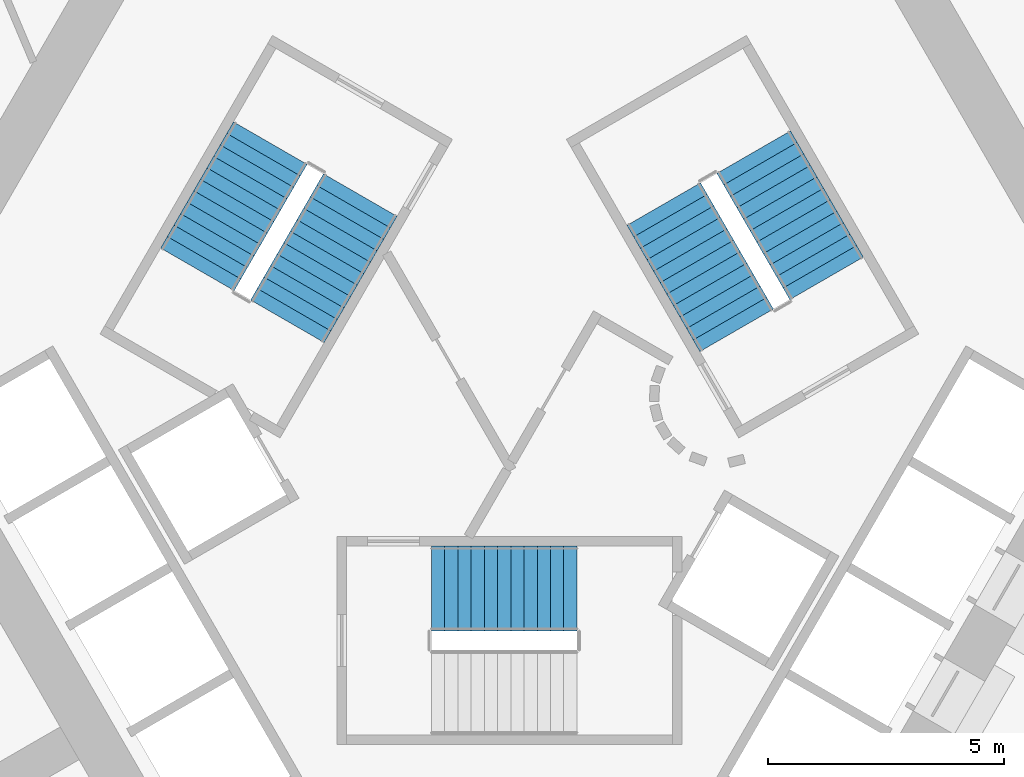
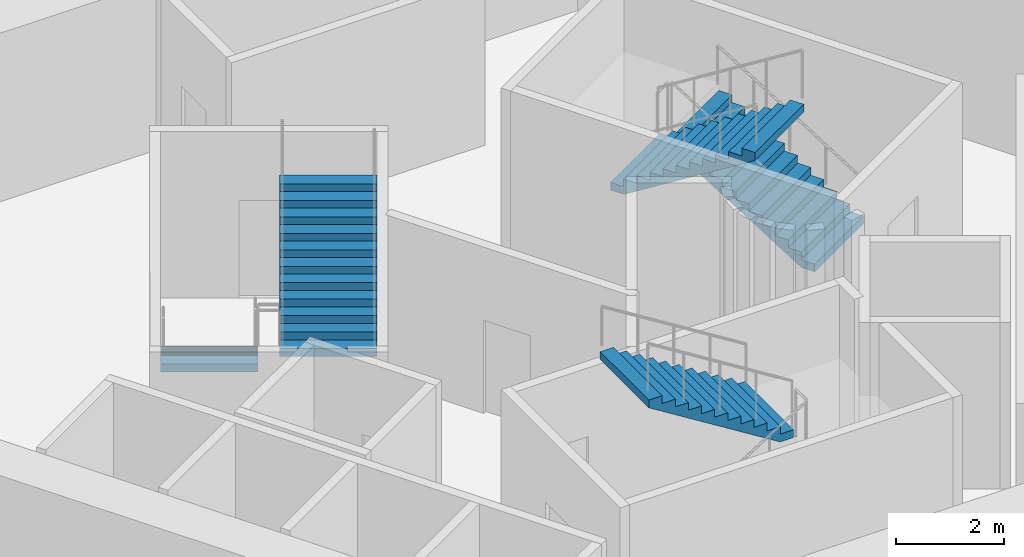
# One storey, part 11 of 14: 5 stair flights, 3 elements without a shape of their own.
"""IFC4 building model written with IfcOpenShell, lengths in metres."""

from ifc_helpers import new_model, si_unit, direction, frame, origin, place, context, subcontext, project, spatial, polyline, outline, extrude, material, type_object, element, aggregate, save


model = new_model("IFC4")

# Units and contexts
model_context = context("Model", 3, precision=1e-05, world=origin(), true_north=direction((0.0, 1.0)))
body_context = subcontext(model_context, "Body", "Model", "MODEL_VIEW")
ifc_project = project(units=[si_unit("LENGTHUNIT", "METRE"), si_unit("AREAUNIT", "SQUARE_METRE"), si_unit("VOLUMEUNIT", "CUBIC_METRE"), si_unit("PLANEANGLEUNIT", "RADIAN"), si_unit("MASSUNIT", "GRAM", prefix="KILO")], contexts=[model_context])

# Site, building, storey
site_placement = place(None, origin())
site = spatial("IfcSite", under=ifc_project, at=site_placement, CompositionType="ELEMENT")
building_placement = place(site_placement, origin())
building = spatial("IfcBuilding", under=site, at=building_placement, Name="Entoto Arch Interchange Tower", CompositionType="ELEMENT")
storey_placement = place(building_placement, frame((0.0, 0.0, 176.0)))
storey = spatial("IfcBuildingStorey", under=building, at=storey_placement, Name="L39", CompositionType="ELEMENT", Elevation=176.0)

# Stair, stair flight
ifc_material = material(Name="Concrete C40/50", Category="concrete")
stair_type = type_object("IfcStairType", Name="EXIT STAIR RC 1800", PredefinedType="HALF_TURN_STAIR", material=ifc_material)
stair_1_placement = place(storey_placement, origin())
stair_1 = element("IfcStair", 1, at=stair_1_placement, inside=storey, type_object=stair_type, Name="L39 Exit stair S", PredefinedType="HALF_TURN_STAIR")
stair_flight_type = type_object("IfcStairFlightType", Name="EXIT STAIR FLIGHT RC 1800", PredefinedType="STRAIGHT", material=ifc_material)
stair_flight_1_placement = place(storey_placement, frame((1.429931640625, -2.10009765625, 2.10009765625), z_axis=(0.0, 0.0, 1.0), x_axis=(-1.0, 0.0, 0.0)))
stair_flight_1 = element("IfcStairFlight", 2, at=stair_flight_1_placement, type_object=stair_flight_type, Name="ST-S flight 2", NumberOfRisers=12, NumberOfTreads=11, PredefinedType="STRAIGHT", RiserHeight=0.175, TreadLength=0.28, context=body_context, shape_type="SweptSolid", body=[
    extrude(outline(polyline([(-0.0029296875, 0.0), (-0.0029296875, 0.175048828125), (0.280029296875, 0.175048828125), (0.280029296875, 0.35009765625), (0.56005859375, 0.35009765625), (0.56005859375, 0.52490234375), (0.840087890625, 0.52490234375), (0.840087890625, 0.699951171875), (1.1201171875, 0.699951171875), (1.1201171875, 0.875), (1.39990234375, 0.875), (1.39990234375, 1.050048828125), (1.679931640625, 1.050048828125), (1.679931640625, 1.22509765625), (1.9599609375, 1.22509765625), (1.9599609375, 1.39990234375), (2.239990234375, 1.39990234375), (2.239990234375, 1.574951171875), (2.52001953125, 1.574951171875), (2.52001953125, 1.75), (2.800048828125, 1.75), (2.800048828125, 1.925048828125), (3.080078125, 1.925048828125), (3.0830078125, 1.925048828125), (3.0830078125, 1.75), (0.28271484375, 0.0), (-0.0029296875, 0.0)])), frame((0.0, 0.89990234375, 0.0), z_axis=(0.0, -1.0, 0.0), x_axis=(1.0, 0.0, 0.0)), (0.0, 0.0, 1.0), 1.800048828125),
])
aggregate(stair_1, [stair_flight_1])

# Stair, stair flights
stair_2_placement = place(storey_placement, origin())
stair_2 = element("IfcStair", 3, at=stair_2_placement, inside=storey, type_object=stair_type, Name="L39 Exit stair NE", PredefinedType="HALF_TURN_STAIR")
stair_flight_2_placement = place(storey_placement, frame((6.7138671875, 4.470947265625, 0.0), z_axis=(0.0, 0.0, 1.0), x_axis=(-0.5, 0.866025403784, 0.0)))
stair_flight_2 = element("IfcStairFlight", 4, at=stair_flight_2_placement, type_object=stair_flight_type, Name="ST-NE flight 1", NumberOfRisers=12, NumberOfTreads=11, PredefinedType="STRAIGHT", RiserHeight=0.175, TreadLength=0.28, context=body_context, shape_type="SweptSolid", body=[
    extrude(outline(polyline([(-0.0029296875, 0.0), (-0.0029296875, 0.175048828125), (0.280029296875, 0.175048828125), (0.280029296875, 0.35009765625), (0.56005859375, 0.35009765625), (0.56005859375, 0.52490234375), (0.840087890625, 0.52490234375), (0.840087890625, 0.699951171875), (1.1201171875, 0.699951171875), (1.1201171875, 0.875), (1.39990234375, 0.875), (1.39990234375, 1.050048828125), (1.679931640625, 1.050048828125), (1.679931640625, 1.22509765625), (1.9599609375, 1.22509765625), (1.9599609375, 1.39990234375), (2.239990234375, 1.39990234375), (2.239990234375, 1.574951171875), (2.52001953125, 1.574951171875), (2.52001953125, 1.75), (2.800048828125, 1.75), (2.800048828125, 1.925048828125), (3.080078125, 1.925048828125), (3.0830078125, 1.925048828125), (3.0830078125, 1.75), (0.28271484375, 0.0), (-0.0029296875, 0.0)])), frame((0.0, 0.89990234375, 0.0), z_axis=(0.0, -1.0, 0.0), x_axis=(1.0, 0.0, 0.0)), (0.0, 0.0, 1.0), 1.800048828125),
])
stair_flight_3_placement = place(storey_placement, frame((3.268798828125, 6.038330078125, 2.10009765625), z_axis=(0.0, 0.0, 1.0), x_axis=(0.5, -0.866025403784, 0.0)))
stair_flight_3 = element("IfcStairFlight", 5, at=stair_flight_3_placement, type_object=stair_flight_type, Name="ST-NE flight 2", NumberOfRisers=12, NumberOfTreads=11, PredefinedType="STRAIGHT", RiserHeight=0.175, TreadLength=0.28, context=body_context, shape_type="SweptSolid", body=[
    extrude(outline(polyline([(-0.0029296875, 0.0), (-0.0029296875, 0.175048828125), (0.280029296875, 0.175048828125), (0.280029296875, 0.35009765625), (0.56005859375, 0.35009765625), (0.56005859375, 0.52490234375), (0.840087890625, 0.52490234375), (0.840087890625, 0.699951171875), (1.1201171875, 0.699951171875), (1.1201171875, 0.875), (1.39990234375, 0.875), (1.39990234375, 1.050048828125), (1.679931640625, 1.050048828125), (1.679931640625, 1.22509765625), (1.9599609375, 1.22509765625), (1.9599609375, 1.39990234375), (2.239990234375, 1.39990234375), (2.239990234375, 1.574951171875), (2.52001953125, 1.574951171875), (2.52001953125, 1.75), (2.800048828125, 1.75), (2.800048828125, 1.925048828125), (3.080078125, 1.925048828125), (3.0830078125, 1.925048828125), (3.0830078125, 1.75), (0.28271484375, 0.0), (-0.0029296875, 0.0)])), frame((0.0, 0.89990234375, 0.0), z_axis=(0.0, -1.0, 0.0), x_axis=(1.0, 0.0, 0.0)), (0.0, 0.0, 1.0), 1.800048828125),
])
aggregate(stair_2, [stair_flight_2, stair_flight_3])

stair_3_placement = place(storey_placement, origin())
stair_3 = element("IfcStair", 6, at=stair_3_placement, inside=storey, type_object=stair_type, Name="L39 Exit stair NW", PredefinedType="HALF_TURN_STAIR")
stair_flight_4_placement = place(storey_placement, frame((-5.06396484375, 7.328857421875, 0.0), z_axis=(0.0, 0.0, 1.0), x_axis=(-0.5, -0.866025403784, 0.0)))
stair_flight_4 = element("IfcStairFlight", 7, at=stair_flight_4_placement, type_object=stair_flight_type, Name="ST-NW flight 1", NumberOfRisers=12, NumberOfTreads=11, PredefinedType="STRAIGHT", RiserHeight=0.175, TreadLength=0.28, context=body_context, shape_type="SweptSolid", body=[
    extrude(outline(polyline([(-0.0029296875, 0.0), (-0.0029296875, 0.175048828125), (0.280029296875, 0.175048828125), (0.280029296875, 0.35009765625), (0.56005859375, 0.35009765625), (0.56005859375, 0.52490234375), (0.840087890625, 0.52490234375), (0.840087890625, 0.699951171875), (1.1201171875, 0.699951171875), (1.1201171875, 0.875), (1.39990234375, 0.875), (1.39990234375, 1.050048828125), (1.679931640625, 1.050048828125), (1.679931640625, 1.22509765625), (1.9599609375, 1.22509765625), (1.9599609375, 1.39990234375), (2.239990234375, 1.39990234375), (2.239990234375, 1.574951171875), (2.52001953125, 1.574951171875), (2.52001953125, 1.75), (2.800048828125, 1.75), (2.800048828125, 1.925048828125), (3.080078125, 1.925048828125), (3.0830078125, 1.925048828125), (3.0830078125, 1.75), (0.28271484375, 0.0), (-0.0029296875, 0.0)])), frame((0.0, 0.89990234375, 0.0), z_axis=(0.0, -1.0, 0.0), x_axis=(1.0, 0.0, 0.0)), (0.0, 0.0, 1.0), 1.800048828125),
])
stair_flight_5_placement = place(storey_placement, frame((-4.69873046875, 3.5615234375, 2.10009765625), z_axis=(0.0, 0.0, 1.0), x_axis=(0.5, 0.866025403784, 0.0)))
stair_flight_5 = element("IfcStairFlight", 8, at=stair_flight_5_placement, type_object=stair_flight_type, Name="ST-NW flight 2", NumberOfRisers=12, NumberOfTreads=11, PredefinedType="STRAIGHT", RiserHeight=0.175, TreadLength=0.28, context=body_context, shape_type="SweptSolid", body=[
    extrude(outline(polyline([(-0.0029296875, 0.0), (-0.0029296875, 0.175048828125), (0.280029296875, 0.175048828125), (0.280029296875, 0.35009765625), (0.56005859375, 0.35009765625), (0.56005859375, 0.52490234375), (0.840087890625, 0.52490234375), (0.840087890625, 0.699951171875), (1.1201171875, 0.699951171875), (1.1201171875, 0.875), (1.39990234375, 0.875), (1.39990234375, 1.050048828125), (1.679931640625, 1.050048828125), (1.679931640625, 1.22509765625), (1.9599609375, 1.22509765625), (1.9599609375, 1.39990234375), (2.239990234375, 1.39990234375), (2.239990234375, 1.574951171875), (2.52001953125, 1.574951171875), (2.52001953125, 1.75), (2.800048828125, 1.75), (2.800048828125, 1.925048828125), (3.080078125, 1.925048828125), (3.0830078125, 1.925048828125), (3.0830078125, 1.75), (0.28271484375, 0.0), (-0.0029296875, 0.0)])), frame((0.0, 0.89990234375, 0.0), z_axis=(0.0, -1.0, 0.0), x_axis=(1.0, 0.0, 0.0)), (0.0, 0.0, 1.0), 1.800048828125),
])
aggregate(stair_3, [stair_flight_4, stair_flight_5])

save(model, "model.ifc")
